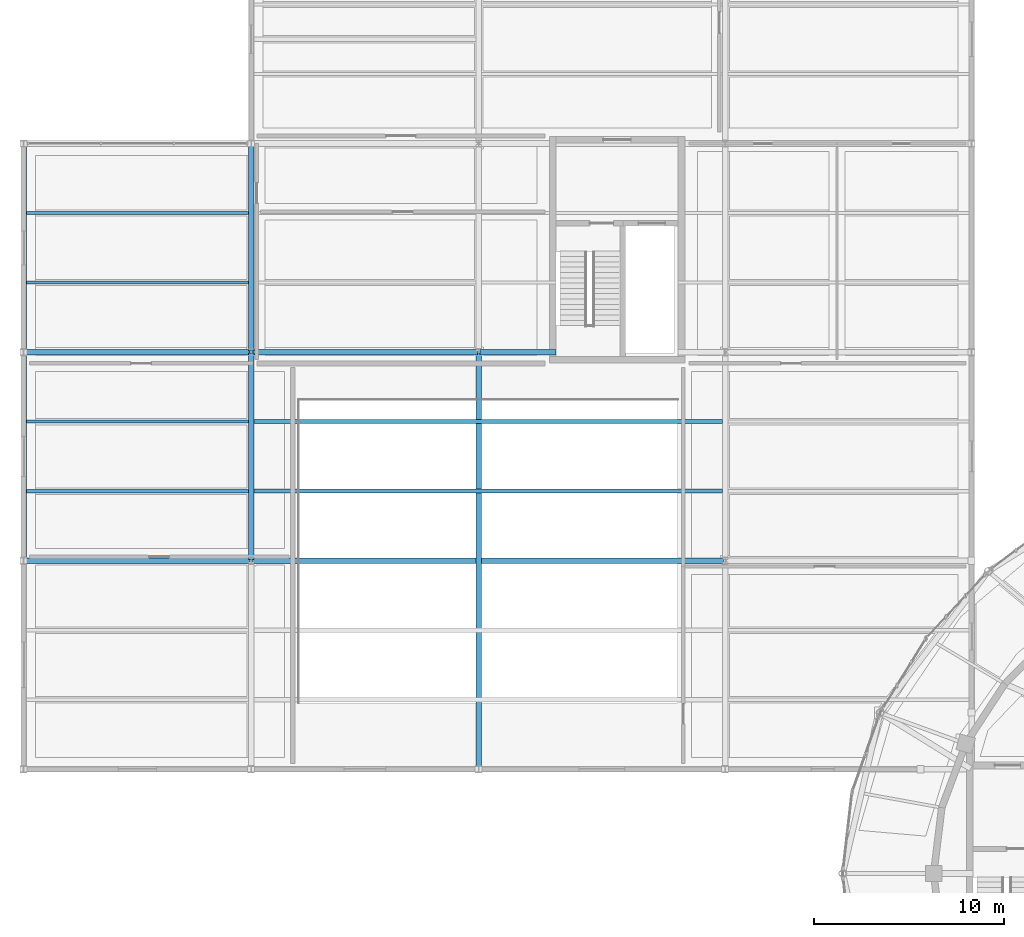
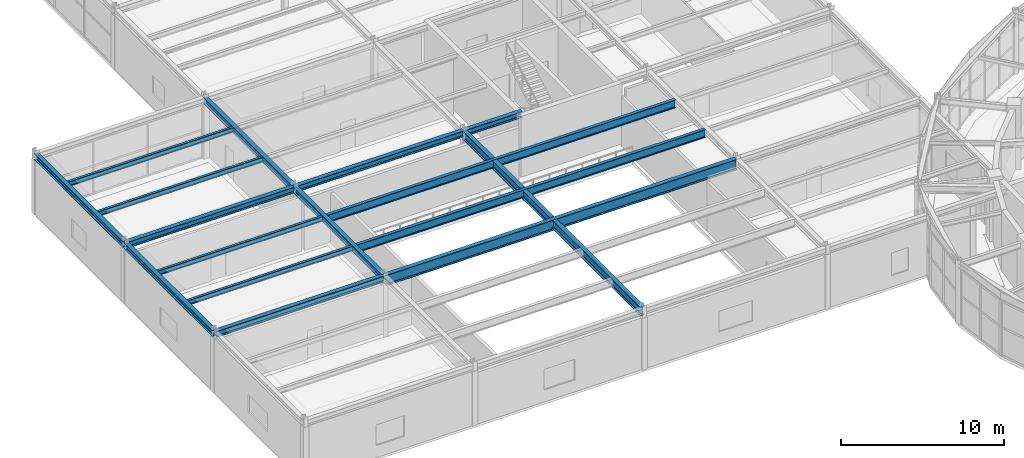
# One storey, part 43 of 100: 16 beams.
"""IFC4 building model written with IfcOpenShell, lengths in metres."""

from ifc_helpers import new_model, si_unit, direction, frame, origin, origin_2d, place, context, subcontext, project, spatial, i_section, extrude, material, material_profile, profile_set, type_object, element, save


model = new_model("IFC4")

# Units and contexts
model_context = context("Model", 3, precision=1e-05, world=origin(), true_north=direction((0.0, 1.0)))
body_context = subcontext(model_context, "Body", "Model", "MODEL_VIEW")
ifc_project = project(units=[si_unit("LENGTHUNIT", "METRE"), si_unit("AREAUNIT", "SQUARE_METRE"), si_unit("VOLUMEUNIT", "CUBIC_METRE"), si_unit("PLANEANGLEUNIT", "RADIAN"), si_unit("MASSUNIT", "GRAM", prefix="KILO")], contexts=[model_context])

# Site, building, storey
site_placement = place(None, origin())
site = spatial("IfcSite", under=ifc_project, at=site_placement, CompositionType="ELEMENT")
building_placement = place(site_placement, origin())
building = spatial("IfcBuilding", under=site, at=building_placement, Name="Tarnveldt Headland Concert Hall", CompositionType="ELEMENT")
storey_placement = place(building_placement, frame((0.0, 0.0, 4.800048828125)))
storey = spatial("IfcBuildingStorey", under=building, at=storey_placement, Name="L01", CompositionType="ELEMENT", Elevation=4.800048828125)

# Beams
ifc_material = material(Name="Steel S355", Category="steel")
ifc_material_profile_1 = material_profile(ifc_material, i_section(OverallWidth=0.300048828125, OverallDepth=0.449951171875, WebThickness=0.013916015625, FlangeThickness=0.02587890625, FilletRadius=0.027099609375, at=origin_2d()), Name="HEB450", Category="steel")
ifc_profile_set_1 = profile_set([ifc_material_profile_1], Name="Steel S355")
beam_type_1 = type_object("IfcBeamType", Name="SB-HEB450", PredefinedType="BEAM", material=ifc_profile_set_1)
for number, where, z_axis, x_axis, name in (
    (1, (7.56005859375, 71.0, 4.31494140625), (1.0, 0.0, 0.0), (0.0, 1.0, 0.0), "Framing beam L01-921"),
    (2, (7.56005859375, 82.0, 4.31494140625), (1.0, 0.0, 0.0), (0.0, 1.0, 0.0), "Framing beam L01-924"),
    (3, (19.56005859375, 82.0, 4.31494140625), (1.0, 0.0, 0.0), (0.0, 1.0, 0.0), "Framing beam L01-925"),
):
    element("IfcBeam", number, at=place(storey_placement, frame(where, z_axis=z_axis, x_axis=x_axis)), inside=storey, type_object=beam_type_1, Name=name, PredefinedType="BEAM", context=body_context, shape_type="SweptSolid", body=[
        extrude(i_section(OverallWidth=0.300048828125, OverallDepth=0.449951171875, WebThickness=0.013916015625, FlangeThickness=0.02587890625, FilletRadius=0.027099609375, at=origin_2d()), origin(), (0.0, 0.0, 1.0), 11.8798828125),
    ])
beam_1_placement = place(storey_placement, frame((31.56005859375, 82.0, 4.31494140625), z_axis=(1.0, 0.0, 0.0), x_axis=(0.0, 1.0, 0.0)))
element("IfcBeam", 4, at=beam_1_placement, inside=storey, type_object=beam_type_1, Name="Framing beam L01-926", PredefinedType="BEAM", context=body_context, shape_type="SweptSolid", body=[
    extrude(i_section(OverallWidth=0.300048828125, OverallDepth=0.449951171875, WebThickness=0.013916015625, FlangeThickness=0.02587890625, FilletRadius=0.027099609375, at=origin_2d()), origin(), (0.0, 0.0, 1.0), 4.02001953125),
])
for number, where, z_axis, x_axis, name in (
    (5, (7.5, 71.06005859375, 4.31494140625), (0.0, 1.0, 0.0), (-1.0, 0.0, 0.0), "Framing beam L01-942"),
    (6, (7.5, 82.06005859375, 4.31494140625), (0.0, 1.0, 0.0), (-1.0, 0.0, 0.0), "Framing beam L01-945"),
    (7, (19.5, 71.06005859375, 4.31494140625), (0.0, 1.0, 0.0), (-1.0, 0.0, 0.0), "Framing beam L01-951"),
    (8, (19.5, 82.06005859375, 4.31494140625), (0.0, 1.0, 0.0), (-1.0, 0.0, 0.0), "Framing beam L01-954"),
):
    element("IfcBeam", number, at=place(storey_placement, frame(where, z_axis=z_axis, x_axis=x_axis)), inside=storey, type_object=beam_type_1, Name=name, PredefinedType="BEAM", context=body_context, shape_type="SweptSolid", body=[
        extrude(i_section(OverallWidth=0.300048828125, OverallDepth=0.449951171875, WebThickness=0.013916015625, FlangeThickness=0.02587890625, FilletRadius=0.027099609375, at=origin_2d()), origin(), (0.0, 0.0, 1.0), 10.8798828125),
    ])
ifc_material_profile_2 = material_profile(ifc_material, i_section(OverallWidth=0.300048828125, OverallDepth=0.64990234375, WebThickness=0.01611328125, FlangeThickness=0.031005859375, FilletRadius=0.027099609375, at=origin_2d()), Name="HEB650", Category="steel")
ifc_profile_set_2 = profile_set([ifc_material_profile_2], Name="Steel S355")
beam_type_2 = type_object("IfcBeamType", Name="SB-HEB650", PredefinedType="BEAM", material=ifc_profile_set_2)
beam_2_placement = place(storey_placement, frame((31.5, 60.06005859375, 4.21484375), z_axis=(0.0, 1.0, 0.0), x_axis=(-1.0, 0.0, 0.0)))
element("IfcBeam", 9, at=beam_2_placement, inside=storey, type_object=beam_type_2, Name="Framing beam L01-963", PredefinedType="BEAM", context=body_context, shape_type="SweptSolid", body=[
    extrude(i_section(OverallWidth=0.300048828125, OverallDepth=0.64990234375, WebThickness=0.01611328125, FlangeThickness=0.031005859375, FilletRadius=0.027099609375, at=origin_2d()), origin(), (0.0, 0.0, 1.0), 21.8798828125),
])
ifc_material_profile_3 = material_profile(ifc_material, i_section(OverallWidth=0.300048828125, OverallDepth=0.800048828125, WebThickness=0.017578125, FlangeThickness=0.032958984375, FilletRadius=0.030029296875, at=origin_2d()), Name="HEB800", Category="steel")
ifc_profile_set_3 = profile_set([ifc_material_profile_3], Name="Steel S355")
beam_type_3 = type_object("IfcBeamType", Name="SB-HEB800", PredefinedType="BEAM", material=ifc_profile_set_3)
beam_3_placement = place(storey_placement, frame((19.580078125, 71.0, 4.139892578125), z_axis=(1.0, 0.0, 0.0), x_axis=(0.0, 1.0, 0.0)))
element("IfcBeam", 10, at=beam_3_placement, inside=storey, type_object=beam_type_3, Name="Framing beam L01-922", PredefinedType="BEAM", context=body_context, shape_type="SweptSolid", body=[
    extrude(i_section(OverallWidth=0.300048828125, OverallDepth=0.800048828125, WebThickness=0.017578125, FlangeThickness=0.032958984375, FilletRadius=0.030029296875, at=origin_2d()), origin(), (0.0, 0.0, 1.0), 24.83984375),
])
ifc_material_profile_4 = material_profile(ifc_material, i_section(OverallWidth=0.169921875, OverallDepth=0.360107421875, WebThickness=0.008056640625, FlangeThickness=0.0126953125, FilletRadius=0.01806640625, at=origin_2d()), Name="IPE360", Category="steel")
ifc_profile_set_4 = profile_set([ifc_material_profile_4], Name="Steel S355")
beam_type_4 = type_object("IfcBeamType", Name="SB-IPE360", PredefinedType="JOIST", material=ifc_profile_set_4)
for number, where, z_axis, x_axis, name in (
    (11, (7.64990234375, 74.6669921875, 4.35986328125), (1.0, 0.0, 0.0), (0.0, 1.0, 0.0), "Framing beam L01-943"),
    (12, (7.64990234375, 78.3330078125, 4.35986328125), (1.0, 0.0, 0.0), (0.0, 1.0, 0.0), "Framing beam L01-944"),
    (13, (7.64990234375, 85.6669921875, 4.35986328125), (1.0, 0.0, 0.0), (0.0, 1.0, 0.0), "Framing beam L01-946"),
    (14, (7.64990234375, 89.3330078125, 4.35986328125), (1.0, 0.0, 0.0), (0.0, 1.0, 0.0), "Framing beam L01-947"),
):
    element("IfcBeam", number, at=place(storey_placement, frame(where, z_axis=z_axis, x_axis=x_axis)), inside=storey, type_object=beam_type_4, Name=name, PredefinedType="JOIST", context=body_context, shape_type="SweptSolid", body=[
        extrude(i_section(OverallWidth=0.169921875, OverallDepth=0.360107421875, WebThickness=0.008056640625, FlangeThickness=0.0126953125, FilletRadius=0.01806640625, at=origin_2d()), origin(), (0.0, 0.0, 1.0), 11.7001953125),
    ])
ifc_material_profile_5 = material_profile(ifc_material, i_section(OverallWidth=0.219970703125, OverallDepth=0.60009765625, WebThickness=0.011962890625, FlangeThickness=0.01904296875, FilletRadius=0.02392578125, at=origin_2d()), Name="IPE600", Category="steel")
ifc_profile_set_5 = profile_set([ifc_material_profile_5], Name="Steel S355")
beam_type_5 = type_object("IfcBeamType", Name="SB-IPE600", PredefinedType="BEAM", material=ifc_profile_set_5)
for number, where, z_axis, x_axis, name in (
    (15, (19.64990234375, 74.6669921875, 4.239990234375), (1.0, 0.0, 0.0), (0.0, 1.0, 0.0), "Framing beam L01-952"),
    (16, (19.64990234375, 78.3330078125, 4.239990234375), (1.0, 0.0, 0.0), (0.0, 1.0, 0.0), "Framing beam L01-953"),
):
    element("IfcBeam", number, at=place(storey_placement, frame(where, z_axis=z_axis, x_axis=x_axis)), inside=storey, type_object=beam_type_5, Name=name, PredefinedType="BEAM", context=body_context, shape_type="SweptSolid", body=[
        extrude(i_section(OverallWidth=0.219970703125, OverallDepth=0.60009765625, WebThickness=0.011962890625, FlangeThickness=0.01904296875, FilletRadius=0.02392578125, at=origin_2d()), origin(), (0.0, 0.0, 1.0), 24.7001953125),
    ])

save(model, "model.ifc")
